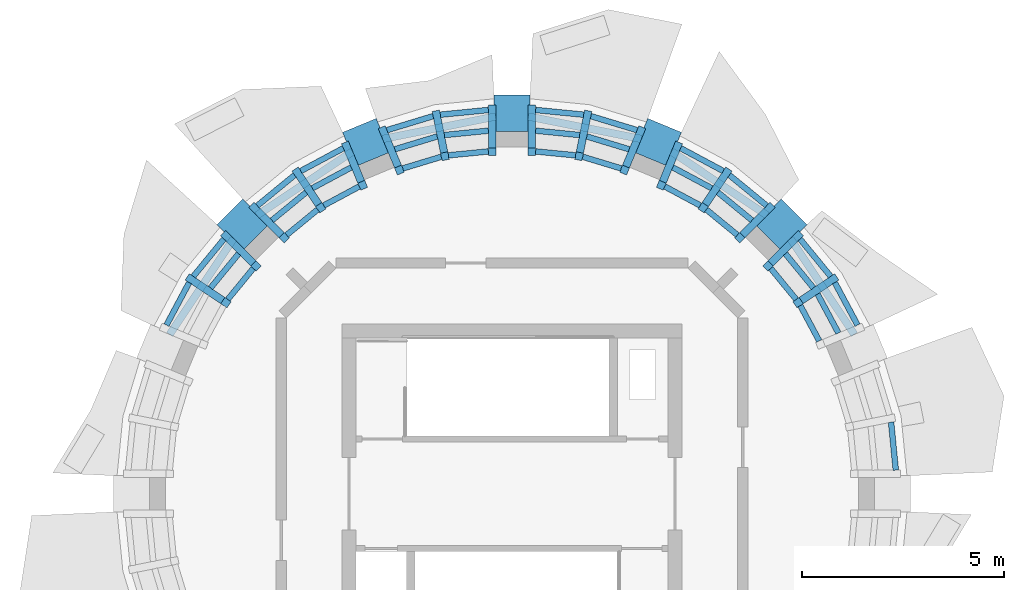
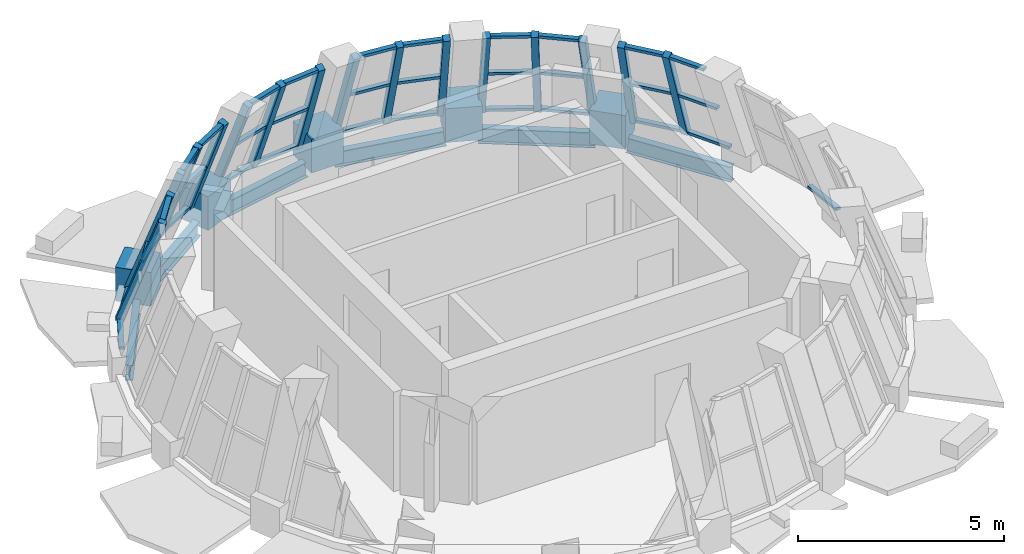
# One storey, part 3 of 8: 56 members, 6 beams, 7 elements without a shape of their own.
"""IFC4 building model written with IfcOpenShell, lengths in metres."""

from ifc_helpers import new_model, si_unit, direction, frame, origin, origin_2d, place, context, subcontext, project, spatial, rectangle, i_section, extrude, material, material_profile, profile_set, type_object, element, aggregate, save


model = new_model("IFC4")

# Units and contexts
model_context = context("Model", 3, precision=1e-05, world=origin(), true_north=direction((0.0, 1.0)))
body_context = subcontext(model_context, "Body", "Model", "MODEL_VIEW")
ifc_project = project(units=[si_unit("LENGTHUNIT", "METRE"), si_unit("AREAUNIT", "SQUARE_METRE"), si_unit("VOLUMEUNIT", "CUBIC_METRE"), si_unit("PLANEANGLEUNIT", "RADIAN"), si_unit("MASSUNIT", "GRAM", prefix="KILO")], contexts=[model_context])

# Site, building, storey
site_placement = place(None, origin())
site = spatial("IfcSite", under=ifc_project, at=site_placement, CompositionType="ELEMENT")
building_placement = place(site_placement, origin())
building = spatial("IfcBuilding", under=site, at=building_placement, Name="Polderwave Tower", CompositionType="ELEMENT")
storey_placement = place(building_placement, frame((0.0, 0.0, 244.39990234375)))
storey = spatial("IfcBuildingStorey", under=building, at=storey_placement, Name="L66", CompositionType="ELEMENT", Elevation=244.39990234375)

# Curtain wall, members
ifc_material_1 = material(Name="Aluminium 6063-T6 and glass", Category="aluminium")
curtain_wall_type = type_object("IfcCurtainWallType", Name="Crown facet glazing wall", PredefinedType="NOTDEFINED", material=ifc_material_1)
curtain_wall_1_placement = place(storey_placement, origin())
curtain_wall_1 = element("IfcCurtainWall", 1, at=curtain_wall_1_placement, inside=storey, type_object=curtain_wall_type, Name="CROWN CW6 L66 01", PredefinedType="NOTDEFINED")
ifc_material_2 = material(Name="Aluminium 6063-T6", Category="aluminium")
ifc_material_profile_1 = material_profile(ifc_material_2, rectangle(XDim=0.18505859375, YDim=0.199951171875, at=origin_2d()), Name="AL 185x200")
ifc_profile_set_1 = profile_set([ifc_material_profile_1], Name="Aluminium 6063-T6")
member_type_1 = type_object("IfcMemberType", Name="Crown facet glazing mullion 185x200", PredefinedType="MULLION", material=ifc_profile_set_1)
member_1_placement = place(storey_placement, frame((7.94189453125, 5.306884765625, 0.0), z_axis=(-0.279345260731, -0.186749789261, 0.941854947175), x_axis=(0.555770310415, -0.831335890036, 0.0)))
member_1 = element("IfcMember", 2, at=member_1_placement, type_object=member_type_1, Name="CW6 mullion 2", PredefinedType="MULLION", context=body_context, shape_type="SweptSolid", body=[
    extrude(rectangle(XDim=0.18505859375, YDim=0.199951171875, at=origin_2d()), origin(), (0.0, 0.0, 1.0), 3.13232421875),
])
member_2_placement = place(storey_placement, frame((7.067626953125, 6.37255859375, 0.0), z_axis=(-0.237498431558, -0.237576376564, 0.941887445668), x_axis=(0.707222785906, -0.706990757433, 0.0)))
member_2 = element("IfcMember", 3, at=member_2_placement, type_object=member_type_1, Name="CW6 mullion 3", PredefinedType="MULLION", context=body_context, shape_type="SweptSolid", body=[
    extrude(rectangle(XDim=0.18505859375, YDim=0.199951171875, at=origin_2d()), origin(), (0.0, 0.0, 1.0), 3.13232421875),
])

curtain_wall_2_placement = place(storey_placement, origin())
curtain_wall_2 = element("IfcCurtainWall", 4, at=curtain_wall_2_placement, inside=storey, type_object=curtain_wall_type, Name="CROWN CW6 L66 02", PredefinedType="NOTDEFINED")
member_3_placement = place(storey_placement, frame((6.37255859375, 7.067626953125, 0.0), z_axis=(-0.237576376564, -0.237498431558, 0.941887445668), x_axis=(0.706990757433, -0.707222785906, 0.0)))
member_3 = element("IfcMember", 5, at=member_3_placement, type_object=member_type_1, Name="CW6 mullion 1", PredefinedType="MULLION", context=body_context, shape_type="SweptSolid", body=[
    extrude(rectangle(XDim=0.18505859375, YDim=0.199951171875, at=origin_2d()), origin(), (0.0, 0.0, 1.0), 3.13232421875),
])
member_4_placement = place(storey_placement, frame((5.306884765625, 7.94189453125, 0.0), z_axis=(-0.186749789261, -0.279345260731, 0.941854947175), x_axis=(0.831335890036, -0.555770310415, 0.0)))
member_4 = element("IfcMember", 6, at=member_4_placement, type_object=member_type_1, Name="CW6 mullion 2", PredefinedType="MULLION", context=body_context, shape_type="SweptSolid", body=[
    extrude(rectangle(XDim=0.18505859375, YDim=0.199951171875, at=origin_2d()), origin(), (0.0, 0.0, 1.0), 3.13232421875),
])
member_5_placement = place(storey_placement, frame((4.091552734375, 8.59228515625, 0.0), z_axis=(-0.128687341183, -0.310299397487, 0.941888449944), x_axis=(0.923714078966, -0.383082628579, 0.0)))
member_5 = element("IfcMember", 7, at=member_5_placement, type_object=member_type_1, Name="CW6 mullion 3", PredefinedType="MULLION", context=body_context, shape_type="SweptSolid", body=[
    extrude(rectangle(XDim=0.18505859375, YDim=0.199951171875, at=origin_2d()), origin(), (0.0, 0.0, 1.0), 3.13232421875),
])

curtain_wall_3_placement = place(storey_placement, origin())
curtain_wall_3 = element("IfcCurtainWall", 8, at=curtain_wall_3_placement, inside=storey, type_object=curtain_wall_type, Name="CROWN CW6 L66 03", PredefinedType="NOTDEFINED")
member_6_placement = place(storey_placement, frame((3.1826171875, 8.968994140625, 0.0), z_axis=(-0.128684228433, -0.310369835021, 0.9418656671), x_axis=(0.923748119056, -0.383000538564, 0.0)))
member_6 = element("IfcMember", 9, at=member_6_placement, type_object=member_type_1, Name="CW6 mullion 1", PredefinedType="MULLION", context=body_context, shape_type="SweptSolid", body=[
    extrude(rectangle(XDim=0.18505859375, YDim=0.199951171875, at=origin_2d()), origin(), (0.0, 0.0, 1.0), 3.13232421875),
])
member_7_placement = place(storey_placement, frame((1.864013671875, 9.368896484375, 0.0), z_axis=(-0.065784515081, -0.329468181575, 0.941872132991), x_axis=(0.980643086166, -0.19580382416, 0.0)))
member_7 = element("IfcMember", 10, at=member_7_placement, type_object=member_type_1, Name="CW6 mullion 2", PredefinedType="MULLION", context=body_context, shape_type="SweptSolid", body=[
    extrude(rectangle(XDim=0.18505859375, YDim=0.199951171875, at=origin_2d()), origin(), (0.0, 0.0, 1.0), 3.13232421875),
])
member_8_placement = place(storey_placement, frame((0.4921875, 9.50390625, 0.0), z_axis=(0.0, -0.335872203123, 0.941907566149), x_axis=(1.0, 0.0, 0.0)))
member_8 = element("IfcMember", 11, at=member_8_placement, type_object=member_type_1, Name="CW6 mullion 3", PredefinedType="MULLION", context=body_context, shape_type="SweptSolid", body=[
    extrude(rectangle(XDim=0.18505859375, YDim=0.199951171875, at=origin_2d()), origin(), (0.0, 0.0, 1.0), 3.132080078125),
])

curtain_wall_4_placement = place(storey_placement, origin())
curtain_wall_4 = element("IfcCurtainWall", 12, at=curtain_wall_4_placement, inside=storey, type_object=curtain_wall_type, Name="CROWN CW6 L66 04", PredefinedType="NOTDEFINED")
member_9_placement = place(storey_placement, frame((-0.4921875, 9.50390625, 0.0), z_axis=(0.0, -0.335872203123, 0.941907566149), x_axis=(1.0, 0.0, 0.0)))
member_9 = element("IfcMember", 13, at=member_9_placement, type_object=member_type_1, Name="CW6 mullion 1", PredefinedType="MULLION", context=body_context, shape_type="SweptSolid", body=[
    extrude(rectangle(XDim=0.18505859375, YDim=0.199951171875, at=origin_2d()), origin(), (0.0, 0.0, 1.0), 3.132080078125),
])
member_10_placement = place(storey_placement, frame((-1.864013671875, 9.368896484375, 0.0), z_axis=(0.065784515081, -0.329468181575, 0.941872132991), x_axis=(0.980643086166, 0.19580382416, 0.0)))
member_10 = element("IfcMember", 14, at=member_10_placement, type_object=member_type_1, Name="CW6 mullion 2", PredefinedType="MULLION", context=body_context, shape_type="SweptSolid", body=[
    extrude(rectangle(XDim=0.18505859375, YDim=0.199951171875, at=origin_2d()), origin(), (0.0, 0.0, 1.0), 3.13232421875),
])
member_11_placement = place(storey_placement, frame((-3.1826171875, 8.968994140625, 0.0), z_axis=(0.128684228433, -0.310369835021, 0.9418656671), x_axis=(0.923748119056, 0.383000538564, 0.0)))
member_11 = element("IfcMember", 15, at=member_11_placement, type_object=member_type_1, Name="CW6 mullion 3", PredefinedType="MULLION", context=body_context, shape_type="SweptSolid", body=[
    extrude(rectangle(XDim=0.18505859375, YDim=0.199951171875, at=origin_2d()), origin(), (0.0, 0.0, 1.0), 3.13232421875),
])

curtain_wall_5_placement = place(storey_placement, origin())
curtain_wall_5 = element("IfcCurtainWall", 16, at=curtain_wall_5_placement, inside=storey, type_object=curtain_wall_type, Name="CROWN CW6 L66 05", PredefinedType="NOTDEFINED")
member_12_placement = place(storey_placement, frame((-4.091552734375, 8.59228515625, 0.0), z_axis=(0.128687341183, -0.310299397487, 0.941888449944), x_axis=(0.923714078966, 0.383082628579, 0.0)))
member_12 = element("IfcMember", 17, at=member_12_placement, type_object=member_type_1, Name="CW6 mullion 1", PredefinedType="MULLION", context=body_context, shape_type="SweptSolid", body=[
    extrude(rectangle(XDim=0.18505859375, YDim=0.199951171875, at=origin_2d()), origin(), (0.0, 0.0, 1.0), 3.13232421875),
])
member_13_placement = place(storey_placement, frame((-5.306884765625, 7.94189453125, 0.0), z_axis=(0.186749789261, -0.279345260731, 0.941854947175), x_axis=(0.831335890036, 0.555770310415, 0.0)))
member_13 = element("IfcMember", 18, at=member_13_placement, type_object=member_type_1, Name="CW6 mullion 2", PredefinedType="MULLION", context=body_context, shape_type="SweptSolid", body=[
    extrude(rectangle(XDim=0.18505859375, YDim=0.199951171875, at=origin_2d()), origin(), (0.0, 0.0, 1.0), 3.13232421875),
])
member_14_placement = place(storey_placement, frame((-6.37255859375, 7.067626953125, 0.0), z_axis=(0.237576376564, -0.237498431558, 0.941887445668), x_axis=(0.706990757433, 0.707222785906, 0.0)))
member_14 = element("IfcMember", 19, at=member_14_placement, type_object=member_type_1, Name="CW6 mullion 3", PredefinedType="MULLION", context=body_context, shape_type="SweptSolid", body=[
    extrude(rectangle(XDim=0.18505859375, YDim=0.199951171875, at=origin_2d()), origin(), (0.0, 0.0, 1.0), 3.13232421875),
])

curtain_wall_6_placement = place(storey_placement, origin())
curtain_wall_6 = element("IfcCurtainWall", 20, at=curtain_wall_6_placement, inside=storey, type_object=curtain_wall_type, Name="CROWN CW6 L66 06", PredefinedType="NOTDEFINED")
member_15_placement = place(storey_placement, frame((-7.067626953125, 6.37255859375, 0.0), z_axis=(0.237498431558, -0.237576376564, 0.941887445668), x_axis=(0.707222785906, 0.706990757433, 0.0)))
member_15 = element("IfcMember", 21, at=member_15_placement, type_object=member_type_1, Name="CW6 mullion 1", PredefinedType="MULLION", context=body_context, shape_type="SweptSolid", body=[
    extrude(rectangle(XDim=0.18505859375, YDim=0.199951171875, at=origin_2d()), origin(), (0.0, 0.0, 1.0), 3.13232421875),
])
member_16_placement = place(storey_placement, frame((-7.94189453125, 5.306884765625, 0.0), z_axis=(0.279345260731, -0.186749789261, 0.941854947175), x_axis=(0.555770310415, 0.831335890036, 0.0)))
member_16 = element("IfcMember", 22, at=member_16_placement, type_object=member_type_1, Name="CW6 mullion 2", PredefinedType="MULLION", context=body_context, shape_type="SweptSolid", body=[
    extrude(rectangle(XDim=0.18505859375, YDim=0.199951171875, at=origin_2d()), origin(), (0.0, 0.0, 1.0), 3.13232421875),
])

# Curtain wall, member
curtain_wall_7_placement = place(storey_placement, origin())
curtain_wall_7 = element("IfcCurtainWall", 23, at=curtain_wall_7_placement, inside=storey, type_object=curtain_wall_type, Name="CROWN CW6 L66 00", PredefinedType="NOTDEFINED")
ifc_material_profile_2 = material_profile(ifc_material_2, rectangle(XDim=0.139892578125, YDim=0.080078125, at=origin_2d()), Name="AL 80x140")
ifc_profile_set_2 = profile_set([ifc_material_profile_2], Name="Aluminium 6063-T6")
member_type_2 = type_object("IfcMemberType", Name="Crown facet glazing transom 80x140", PredefinedType="USERDEFINED", material=ifc_profile_set_2)
member_17_placement = place(storey_placement, frame((9.480712890625, 0.583984375, 0.0400390625), z_axis=(-0.097981458068, 0.995188240422, 0.0), x_axis=(-0.995188240422, -0.097981458068, 0.0)))
member_17 = element("IfcMember", 24, at=member_17_placement, type_object=member_type_2, Name="CW6 transom 1", ObjectType="TRANSOM", PredefinedType="USERDEFINED", context=body_context, shape_type="SweptSolid", body=[
    extrude(rectangle(XDim=0.139892578125, YDim=0.080078125, at=origin_2d()), origin(), (0.0, 0.0, 1.0), 1.19091796875),
])
aggregate(curtain_wall_7, [member_17])

# Member
member_18_placement = place(storey_placement, frame((8.535400390625, 4.167724609375, 0.0400390625), z_axis=(-0.471652250337, 0.881784641935, 0.0), x_axis=(-0.881784641935, -0.471652250337, 0.0)))
member_18 = element("IfcMember", 25, at=member_18_placement, type_object=member_type_2, Name="CW6 transom 1", ObjectType="TRANSOM", PredefinedType="USERDEFINED", context=body_context, shape_type="SweptSolid", body=[
    extrude(rectangle(XDim=0.139892578125, YDim=0.080078125, at=origin_2d()), origin(), (0.0, 0.0, 1.0), 1.1904296875),
])

member_19_placement = place(storey_placement, frame((8.062744140625, 3.9716796875, 1.47509765625), z_axis=(-0.472028770132, 0.881583144217, 0.0), x_axis=(-0.881583144217, -0.472028770132, 0.0)))
member_19 = element("IfcMember", 26, at=member_19_placement, type_object=member_type_2, Name="CW6 transom 2", ObjectType="TRANSOM", PredefinedType="USERDEFINED", context=body_context, shape_type="SweptSolid", body=[
    extrude(rectangle(XDim=0.139892578125, YDim=0.080078125, at=origin_2d()), origin(), (0.0, 0.0, 1.0), 1.09033203125),
])

member_20_placement = place(storey_placement, frame((7.58984375, 3.775634765625, 2.91015625), z_axis=(-0.471995569536, 0.88160092011, 0.0), x_axis=(-0.88160092011, -0.471995569536, 0.0)))
member_20 = element("IfcMember", 27, at=member_20_placement, type_object=member_type_2, Name="CW6 transom 3", ObjectType="TRANSOM", PredefinedType="USERDEFINED", context=body_context, shape_type="SweptSolid", body=[
    extrude(rectangle(XDim=0.139892578125, YDim=0.080078125, at=origin_2d()), origin(), (0.0, 0.0, 1.0), 0.989990234375),
])

member_21_placement = place(storey_placement, frame((7.87158203125, 5.37060546875, 0.0400390625), z_axis=(-0.634398302458, 0.773006334928, 0.0), x_axis=(-0.773006334928, -0.634398302458, 0.0)))
member_21 = element("IfcMember", 28, at=member_21_placement, type_object=member_type_2, Name="CW6 transom 4", ObjectType="TRANSOM", PredefinedType="USERDEFINED", context=body_context, shape_type="SweptSolid", body=[
    extrude(rectangle(XDim=0.139892578125, YDim=0.080078125, at=origin_2d()), origin(), (0.0, 0.0, 1.0), 1.190673828125),
])

member_22_placement = place(storey_placement, frame((7.44580078125, 5.0859375, 1.47509765625), z_axis=(-0.63415188799, 0.773208499021, 0.0), x_axis=(-0.773208499021, -0.63415188799, 0.0)))
member_22 = element("IfcMember", 29, at=member_22_placement, type_object=member_type_2, Name="CW6 transom 5", ObjectType="TRANSOM", PredefinedType="USERDEFINED", context=body_context, shape_type="SweptSolid", body=[
    extrude(rectangle(XDim=0.139892578125, YDim=0.080078125, at=origin_2d()), origin(), (0.0, 0.0, 1.0), 1.09033203125),
])

member_23_placement = place(storey_placement, frame((7.020263671875, 4.801513671875, 2.91015625), z_axis=(-0.634150351178, 0.773209759445, 0.0), x_axis=(-0.773209759445, -0.634150351178, 0.0)))
member_23 = element("IfcMember", 30, at=member_23_placement, type_object=member_type_2, Name="CW6 transom 6", ObjectType="TRANSOM", PredefinedType="USERDEFINED", context=body_context, shape_type="SweptSolid", body=[
    extrude(rectangle(XDim=0.139892578125, YDim=0.080078125, at=origin_2d()), origin(), (0.0, 0.0, 1.0), 0.990234375),
])

aggregate(curtain_wall_1, [member_1, member_2, member_18, member_19, member_20, member_21, member_22, member_23])

member_24_placement = place(storey_placement, frame((6.291015625, 7.1162109375, 0.0400390625), z_axis=(-0.773006334928, 0.634398302458, 0.0), x_axis=(-0.634398302458, -0.773006334928, 0.0)))
member_24 = element("IfcMember", 31, at=member_24_placement, type_object=member_type_2, Name="CW6 transom 1", ObjectType="TRANSOM", PredefinedType="USERDEFINED", context=body_context, shape_type="SweptSolid", body=[
    extrude(rectangle(XDim=0.139892578125, YDim=0.080078125, at=origin_2d()), origin(), (0.0, 0.0, 1.0), 1.190673828125),
])

member_25_placement = place(storey_placement, frame((5.928955078125, 6.75439453125, 1.47509765625), z_axis=(-0.773208499021, 0.63415188799, 0.0), x_axis=(-0.63415188799, -0.773208499021, 0.0)))
member_25 = element("IfcMember", 32, at=member_25_placement, type_object=member_type_2, Name="CW6 transom 2", ObjectType="TRANSOM", PredefinedType="USERDEFINED", context=body_context, shape_type="SweptSolid", body=[
    extrude(rectangle(XDim=0.139892578125, YDim=0.080078125, at=origin_2d()), origin(), (0.0, 0.0, 1.0), 1.09033203125),
])

member_26_placement = place(storey_placement, frame((5.567138671875, 6.392333984375, 2.91015625), z_axis=(-0.773209759445, 0.634150351178, 0.0), x_axis=(-0.634150351178, -0.773209759445, 0.0)))
member_26 = element("IfcMember", 33, at=member_26_placement, type_object=member_type_2, Name="CW6 transom 3", ObjectType="TRANSOM", PredefinedType="USERDEFINED", context=body_context, shape_type="SweptSolid", body=[
    extrude(rectangle(XDim=0.139892578125, YDim=0.080078125, at=origin_2d()), origin(), (0.0, 0.0, 1.0), 0.990234375),
])

member_27_placement = place(storey_placement, frame((5.217529296875, 7.973876953125, 0.0400390625), z_axis=(-0.881784641935, 0.471652250337, 0.0), x_axis=(-0.471652250337, -0.881784641935, 0.0)))
member_27 = element("IfcMember", 34, at=member_27_placement, type_object=member_type_2, Name="CW6 transom 4", ObjectType="TRANSOM", PredefinedType="USERDEFINED", context=body_context, shape_type="SweptSolid", body=[
    extrude(rectangle(XDim=0.139892578125, YDim=0.080078125, at=origin_2d()), origin(), (0.0, 0.0, 1.0), 1.1904296875),
])

member_28_placement = place(storey_placement, frame((4.932861328125, 7.548095703125, 1.47509765625), z_axis=(-0.881583144217, 0.472028770132, 0.0), x_axis=(-0.472028770132, -0.881583144217, 0.0)))
member_28 = element("IfcMember", 35, at=member_28_placement, type_object=member_type_2, Name="CW6 transom 5", ObjectType="TRANSOM", PredefinedType="USERDEFINED", context=body_context, shape_type="SweptSolid", body=[
    extrude(rectangle(XDim=0.139892578125, YDim=0.080078125, at=origin_2d()), origin(), (0.0, 0.0, 1.0), 1.09033203125),
])

member_29_placement = place(storey_placement, frame((4.6484375, 7.12255859375, 2.91015625), z_axis=(-0.88160092011, 0.471995569536, 0.0), x_axis=(-0.471995569536, -0.88160092011, 0.0)))
member_29 = element("IfcMember", 36, at=member_29_placement, type_object=member_type_2, Name="CW6 transom 6", ObjectType="TRANSOM", PredefinedType="USERDEFINED", context=body_context, shape_type="SweptSolid", body=[
    extrude(rectangle(XDim=0.139892578125, YDim=0.080078125, at=origin_2d()), origin(), (0.0, 0.0, 1.0), 0.989990234375),
])

aggregate(curtain_wall_2, [member_3, member_4, member_5, member_24, member_25, member_26, member_27, member_28, member_29])

member_30_placement = place(storey_placement, frame((3.08837890625, 8.982421875, 0.0400390625), z_axis=(-0.956872429715, 0.29050843921, 0.0), x_axis=(-0.29050843921, -0.956872429715, 0.0)))
member_30 = element("IfcMember", 37, at=member_30_placement, type_object=member_type_2, Name="CW6 transom 1", ObjectType="TRANSOM", PredefinedType="USERDEFINED", context=body_context, shape_type="SweptSolid", body=[
    extrude(rectangle(XDim=0.139892578125, YDim=0.080078125, at=origin_2d()), origin(), (0.0, 0.0, 1.0), 1.18994140625),
])

member_31_placement = place(storey_placement, frame((2.892578125, 8.509765625, 1.47509765625), z_axis=(-0.956933928415, 0.290305798508, 0.0), x_axis=(-0.290305798508, -0.956933928415, 0.0)))
member_31 = element("IfcMember", 38, at=member_31_placement, type_object=member_type_2, Name="CW6 transom 2", ObjectType="TRANSOM", PredefinedType="USERDEFINED", context=body_context, shape_type="SweptSolid", body=[
    extrude(rectangle(XDim=0.139892578125, YDim=0.080078125, at=origin_2d()), origin(), (0.0, 0.0, 1.0), 1.08984375),
])

member_32_placement = place(storey_placement, frame((2.6962890625, 8.036865234375, 2.91015625), z_axis=(-0.956918526639, 0.290356562479, 0.0), x_axis=(-0.290356562479, -0.956918526639, 0.0)))
member_32 = element("IfcMember", 39, at=member_32_placement, type_object=member_type_2, Name="CW6 transom 3", ObjectType="TRANSOM", PredefinedType="USERDEFINED", context=body_context, shape_type="SweptSolid", body=[
    extrude(rectangle(XDim=0.139892578125, YDim=0.080078125, at=origin_2d()), origin(), (0.0, 0.0, 1.0), 0.98974609375),
])

member_33_placement = place(storey_placement, frame((1.769287109375, 9.364013671875, 0.0400390625), z_axis=(-0.995188240422, 0.097981458068, 0.0), x_axis=(-0.097981458068, -0.995188240422, 0.0)))
member_33 = element("IfcMember", 40, at=member_33_placement, type_object=member_type_2, Name="CW6 transom 4", ObjectType="TRANSOM", PredefinedType="USERDEFINED", context=body_context, shape_type="SweptSolid", body=[
    extrude(rectangle(XDim=0.139892578125, YDim=0.080078125, at=origin_2d()), origin(), (0.0, 0.0, 1.0), 1.19091796875),
])

member_34_placement = place(storey_placement, frame((1.6689453125, 8.862060546875, 1.47509765625), z_axis=(-0.99517807936, 0.098084608182, 0.0), x_axis=(-0.098084608182, -0.99517807936, 0.0)))
member_34 = element("IfcMember", 41, at=member_34_placement, type_object=member_type_2, Name="CW6 transom 5", ObjectType="TRANSOM", PredefinedType="USERDEFINED", context=body_context, shape_type="SweptSolid", body=[
    extrude(rectangle(XDim=0.139892578125, YDim=0.080078125, at=origin_2d()), origin(), (0.0, 0.0, 1.0), 1.09033203125),
])

member_35_placement = place(storey_placement, frame((1.568603515625, 8.360107421875, 2.91015625), z_axis=(-0.995189920385, 0.097964393353, 0.0), x_axis=(-0.097964393353, -0.995189920385, 0.0)))
member_35 = element("IfcMember", 42, at=member_35_placement, type_object=member_type_2, Name="CW6 transom 6", ObjectType="TRANSOM", PredefinedType="USERDEFINED", context=body_context, shape_type="SweptSolid", body=[
    extrude(rectangle(XDim=0.139892578125, YDim=0.080078125, at=origin_2d()), origin(), (0.0, 0.0, 1.0), 0.9892578125),
])

aggregate(curtain_wall_3, [member_6, member_7, member_8, member_30, member_31, member_32, member_33, member_34, member_35])

member_36_placement = place(storey_placement, frame((-0.583984375, 9.480712890625, 0.0400390625), z_axis=(-0.995188240422, -0.097981458068, 0.0), x_axis=(0.097981458068, -0.995188240422, 0.0)))
member_36 = element("IfcMember", 43, at=member_36_placement, type_object=member_type_2, Name="CW6 transom 1", ObjectType="TRANSOM", PredefinedType="USERDEFINED", context=body_context, shape_type="SweptSolid", body=[
    extrude(rectangle(XDim=0.139892578125, YDim=0.080078125, at=origin_2d()), origin(), (0.0, 0.0, 1.0), 1.19091796875),
])

member_37_placement = place(storey_placement, frame((-0.583984375, 8.968994140625, 1.47509765625), z_axis=(-0.99517807936, -0.098084608182, 0.0), x_axis=(0.098084608182, -0.99517807936, 0.0)))
member_37 = element("IfcMember", 44, at=member_37_placement, type_object=member_type_2, Name="CW6 transom 2", ObjectType="TRANSOM", PredefinedType="USERDEFINED", context=body_context, shape_type="SweptSolid", body=[
    extrude(rectangle(XDim=0.139892578125, YDim=0.080078125, at=origin_2d()), origin(), (0.0, 0.0, 1.0), 1.09033203125),
])

member_38_placement = place(storey_placement, frame((-0.583984375, 8.45703125, 2.91015625), z_axis=(-0.995189920385, -0.097964393353, 0.0), x_axis=(0.097964393353, -0.995189920385, 0.0)))
member_38 = element("IfcMember", 45, at=member_38_placement, type_object=member_type_2, Name="CW6 transom 3", ObjectType="TRANSOM", PredefinedType="USERDEFINED", context=body_context, shape_type="SweptSolid", body=[
    extrude(rectangle(XDim=0.139892578125, YDim=0.080078125, at=origin_2d()), origin(), (0.0, 0.0, 1.0), 0.9892578125),
])

member_39_placement = place(storey_placement, frame((-1.94970703125, 9.328125, 0.0400390625), z_axis=(-0.956872429715, -0.29050843921, 0.0), x_axis=(0.29050843921, -0.956872429715, 0.0)))
member_39 = element("IfcMember", 46, at=member_39_placement, type_object=member_type_2, Name="CW6 transom 4", ObjectType="TRANSOM", PredefinedType="USERDEFINED", context=body_context, shape_type="SweptSolid", body=[
    extrude(rectangle(XDim=0.139892578125, YDim=0.080078125, at=origin_2d()), origin(), (0.0, 0.0, 1.0), 1.18994140625),
])

member_40_placement = place(storey_placement, frame((-1.849609375, 8.826171875, 1.47509765625), z_axis=(-0.956933928415, -0.290305798508, 0.0), x_axis=(0.290305798508, -0.956933928415, 0.0)))
member_40 = element("IfcMember", 47, at=member_40_placement, type_object=member_type_2, Name="CW6 transom 5", ObjectType="TRANSOM", PredefinedType="USERDEFINED", context=body_context, shape_type="SweptSolid", body=[
    extrude(rectangle(XDim=0.139892578125, YDim=0.080078125, at=origin_2d()), origin(), (0.0, 0.0, 1.0), 1.08984375),
])

member_41_placement = place(storey_placement, frame((-1.749267578125, 8.32421875, 2.91015625), z_axis=(-0.956918526639, -0.290356562479, 0.0), x_axis=(0.290356562479, -0.956918526639, 0.0)))
member_41 = element("IfcMember", 48, at=member_41_placement, type_object=member_type_2, Name="CW6 transom 6", ObjectType="TRANSOM", PredefinedType="USERDEFINED", context=body_context, shape_type="SweptSolid", body=[
    extrude(rectangle(XDim=0.139892578125, YDim=0.080078125, at=origin_2d()), origin(), (0.0, 0.0, 1.0), 0.98974609375),
])

aggregate(curtain_wall_4, [member_9, member_10, member_11, member_36, member_37, member_38, member_39, member_40, member_41])

member_42_placement = place(storey_placement, frame((-4.167724609375, 8.535400390625, 0.0400390625), z_axis=(-0.881784641935, -0.471652250337, 0.0), x_axis=(0.471652250337, -0.881784641935, 0.0)))
member_42 = element("IfcMember", 49, at=member_42_placement, type_object=member_type_2, Name="CW6 transom 1", ObjectType="TRANSOM", PredefinedType="USERDEFINED", context=body_context, shape_type="SweptSolid", body=[
    extrude(rectangle(XDim=0.139892578125, YDim=0.080078125, at=origin_2d()), origin(), (0.0, 0.0, 1.0), 1.1904296875),
])

member_43_placement = place(storey_placement, frame((-3.9716796875, 8.062744140625, 1.47509765625), z_axis=(-0.881583144217, -0.472028770132, 0.0), x_axis=(0.472028770132, -0.881583144217, 0.0)))
member_43 = element("IfcMember", 50, at=member_43_placement, type_object=member_type_2, Name="CW6 transom 2", ObjectType="TRANSOM", PredefinedType="USERDEFINED", context=body_context, shape_type="SweptSolid", body=[
    extrude(rectangle(XDim=0.139892578125, YDim=0.080078125, at=origin_2d()), origin(), (0.0, 0.0, 1.0), 1.09033203125),
])

member_44_placement = place(storey_placement, frame((-3.775634765625, 7.58984375, 2.91015625), z_axis=(-0.88160092011, -0.471995569536, 0.0), x_axis=(0.471995569536, -0.88160092011, 0.0)))
member_44 = element("IfcMember", 51, at=member_44_placement, type_object=member_type_2, Name="CW6 transom 3", ObjectType="TRANSOM", PredefinedType="USERDEFINED", context=body_context, shape_type="SweptSolid", body=[
    extrude(rectangle(XDim=0.139892578125, YDim=0.080078125, at=origin_2d()), origin(), (0.0, 0.0, 1.0), 0.989990234375),
])

member_45_placement = place(storey_placement, frame((-5.37060546875, 7.87158203125, 0.0400390625), z_axis=(-0.773006334928, -0.634398302458, 0.0), x_axis=(0.634398302458, -0.773006334928, 0.0)))
member_45 = element("IfcMember", 52, at=member_45_placement, type_object=member_type_2, Name="CW6 transom 4", ObjectType="TRANSOM", PredefinedType="USERDEFINED", context=body_context, shape_type="SweptSolid", body=[
    extrude(rectangle(XDim=0.139892578125, YDim=0.080078125, at=origin_2d()), origin(), (0.0, 0.0, 1.0), 1.190673828125),
])

member_46_placement = place(storey_placement, frame((-5.0859375, 7.44580078125, 1.47509765625), z_axis=(-0.773208499021, -0.63415188799, 0.0), x_axis=(0.63415188799, -0.773208499021, 0.0)))
member_46 = element("IfcMember", 53, at=member_46_placement, type_object=member_type_2, Name="CW6 transom 5", ObjectType="TRANSOM", PredefinedType="USERDEFINED", context=body_context, shape_type="SweptSolid", body=[
    extrude(rectangle(XDim=0.139892578125, YDim=0.080078125, at=origin_2d()), origin(), (0.0, 0.0, 1.0), 1.09033203125),
])

member_47_placement = place(storey_placement, frame((-4.801513671875, 7.020263671875, 2.91015625), z_axis=(-0.773209759445, -0.634150351178, 0.0), x_axis=(0.634150351178, -0.773209759445, 0.0)))
member_47 = element("IfcMember", 54, at=member_47_placement, type_object=member_type_2, Name="CW6 transom 6", ObjectType="TRANSOM", PredefinedType="USERDEFINED", context=body_context, shape_type="SweptSolid", body=[
    extrude(rectangle(XDim=0.139892578125, YDim=0.080078125, at=origin_2d()), origin(), (0.0, 0.0, 1.0), 0.990234375),
])

aggregate(curtain_wall_5, [member_12, member_13, member_14, member_42, member_43, member_44, member_45, member_46, member_47])

member_48_placement = place(storey_placement, frame((-7.1162109375, 6.291015625, 0.0400390625), z_axis=(-0.634398302458, -0.773006334928, 0.0), x_axis=(0.773006334928, -0.634398302458, 0.0)))
member_48 = element("IfcMember", 55, at=member_48_placement, type_object=member_type_2, Name="CW6 transom 1", ObjectType="TRANSOM", PredefinedType="USERDEFINED", context=body_context, shape_type="SweptSolid", body=[
    extrude(rectangle(XDim=0.139892578125, YDim=0.080078125, at=origin_2d()), origin(), (0.0, 0.0, 1.0), 1.190673828125),
])

member_49_placement = place(storey_placement, frame((-6.75439453125, 5.928955078125, 1.47509765625), z_axis=(-0.63415188799, -0.773208499021, 0.0), x_axis=(0.773208499021, -0.63415188799, 0.0)))
member_49 = element("IfcMember", 56, at=member_49_placement, type_object=member_type_2, Name="CW6 transom 2", ObjectType="TRANSOM", PredefinedType="USERDEFINED", context=body_context, shape_type="SweptSolid", body=[
    extrude(rectangle(XDim=0.139892578125, YDim=0.080078125, at=origin_2d()), origin(), (0.0, 0.0, 1.0), 1.09033203125),
])

member_50_placement = place(storey_placement, frame((-6.392333984375, 5.567138671875, 2.91015625), z_axis=(-0.634150351178, -0.773209759445, 0.0), x_axis=(0.773209759445, -0.634150351178, 0.0)))
member_50 = element("IfcMember", 57, at=member_50_placement, type_object=member_type_2, Name="CW6 transom 3", ObjectType="TRANSOM", PredefinedType="USERDEFINED", context=body_context, shape_type="SweptSolid", body=[
    extrude(rectangle(XDim=0.139892578125, YDim=0.080078125, at=origin_2d()), origin(), (0.0, 0.0, 1.0), 0.990234375),
])

member_51_placement = place(storey_placement, frame((-7.973876953125, 5.217529296875, 0.0400390625), z_axis=(-0.471652250337, -0.881784641935, 0.0), x_axis=(0.881784641935, -0.471652250337, 0.0)))
member_51 = element("IfcMember", 58, at=member_51_placement, type_object=member_type_2, Name="CW6 transom 4", ObjectType="TRANSOM", PredefinedType="USERDEFINED", context=body_context, shape_type="SweptSolid", body=[
    extrude(rectangle(XDim=0.139892578125, YDim=0.080078125, at=origin_2d()), origin(), (0.0, 0.0, 1.0), 1.1904296875),
])

aggregate(curtain_wall_6, [member_15, member_16, member_48, member_49, member_50, member_51])

# Members
ifc_material_3 = material(Name="Concrete C60/75", Category="concrete")
ifc_material_profile_3 = material_profile(ifc_material_3, rectangle(XDim=0.89990234375, YDim=0.89990234375, at=origin_2d()), Name="RC 900x900")
ifc_profile_set_3 = profile_set([ifc_material_profile_3], Name="Concrete C60/75")
member_type_3 = type_object("IfcMemberType", Name="RC NODE 900x900 C60/75", PredefinedType="POST", material=ifc_profile_set_3)
for number, where, z_axis, x_axis, name in (
    (59, (6.646240234375, 6.646240234375, -0.5), (0.0, 0.0, 1.0), (0.707106781187, 0.707106781187, 0.0), "Ring column node 03"),
    (60, (3.596923828125, 8.68359375, -0.5), (0.0, 0.0, 1.0), (0.382683432365, 0.923879532511, 0.0), "Ring column node 04"),
    (61, (0.0, 9.399169921875, -0.5), (0.0, 0.0, 1.0), (0.0, 1.0, 0.0), "Ring column node 05"),
    (62, (-3.596923828125, 8.68359375, -0.5), (0.0, 0.0, 1.0), (-0.382683432365, 0.923879532511, 0.0), "Ring column node 06"),
    (63, (-6.646240234375, 6.646240234375, -0.5), (0.0, 0.0, 1.0), (-0.707106781187, 0.707106781187, 0.0), "Ring column node 07"),
):
    element("IfcMember", number, at=place(storey_placement, frame(where, z_axis=z_axis, x_axis=x_axis)), inside=storey, type_object=member_type_3, Name=name, PredefinedType="POST", context=body_context, shape_type="SweptSolid", body=[
        extrude(rectangle(XDim=0.89990234375, YDim=0.89990234375, at=origin_2d()), origin(), (0.0, 0.0, 1.0), 1.0),
    ])

# Beams
ifc_material_4 = material(Name="Steel S355", Category="steel")
ifc_material_profile_4 = material_profile(ifc_material_4, i_section(OverallWidth=0.18994140625, OverallDepth=0.449951171875, WebThickness=0.009521484375, FlangeThickness=0.0146484375, at=origin_2d()), Name="IPE 450")
ifc_profile_set_4 = profile_set([ifc_material_profile_4], Name="Steel S355")
beam_type = type_object("IfcBeamType", Name="RING BEAM IPE 450", PredefinedType="BEAM", material=ifc_profile_set_4)
for number, where, z_axis, x_axis, name in (
    (64, (8.4580078125, 3.936279296875, -0.574951171875), (-0.555628279464, 0.831430823977, 0.0), (-0.831430823977, -0.555628279464, 0.0), "ST-RB-L66-01"),
    (65, (6.3076171875, 6.873291015625, -0.574951171875), (-0.831430823977, 0.555628279464, 0.0), (-0.555628279464, -0.831430823977, 0.0), "ST-RB-L66-02"),
):
    element("IfcBeam", number, at=place(storey_placement, frame(where, z_axis=z_axis, x_axis=x_axis)), inside=storey, type_object=beam_type, Name=name, PredefinedType="BEAM", context=body_context, shape_type="SweptSolid", body=[
        extrude(i_section(OverallWidth=0.18994140625, OverallDepth=0.449951171875, WebThickness=0.009521484375, FlangeThickness=0.0146484375, at=origin_2d()), origin(), (0.0, 0.0, 1.0), 2.85205078125),
    ])
for number, where, z_axis, x_axis, name in (
    (66, (3.197265625, 8.763916015625, -0.574951171875), (-0.9807711582, 0.195161305699, 0.0), (-0.195161305699, -0.9807711582, 0.0), "ST-RB-L66-03"),
    (67, (-0.39990234375, 9.320556640625, -0.574951171875), (-0.9807711582, -0.195161305699, 0.0), (0.195161305699, -0.9807711582, 0.0), "ST-RB-L66-04"),
):
    element("IfcBeam", number, at=place(storey_placement, frame(where, z_axis=z_axis, x_axis=x_axis)), inside=storey, type_object=beam_type, Name=name, PredefinedType="BEAM", context=body_context, shape_type="SweptSolid", body=[
        extrude(i_section(OverallWidth=0.18994140625, OverallDepth=0.449951171875, WebThickness=0.009521484375, FlangeThickness=0.0146484375, at=origin_2d()), origin(), (0.0, 0.0, 1.0), 2.852294921875),
    ])
for number, where, z_axis, x_axis, name in (
    (68, (-3.936279296875, 8.4580078125, -0.574951171875), (-0.831430823977, -0.555628279464, 0.0), (0.555628279464, -0.831430823977, 0.0), "ST-RB-L66-05"),
    (69, (-6.873291015625, 6.3076171875, -0.574951171875), (-0.555628279464, -0.831430823977, 0.0), (0.831430823977, -0.555628279464, 0.0), "ST-RB-L66-06"),
):
    element("IfcBeam", number, at=place(storey_placement, frame(where, z_axis=z_axis, x_axis=x_axis)), inside=storey, type_object=beam_type, Name=name, PredefinedType="BEAM", context=body_context, shape_type="SweptSolid", body=[
        extrude(i_section(OverallWidth=0.18994140625, OverallDepth=0.449951171875, WebThickness=0.009521484375, FlangeThickness=0.0146484375, at=origin_2d()), origin(), (0.0, 0.0, 1.0), 2.85205078125),
    ])

save(model, "model.ifc")
